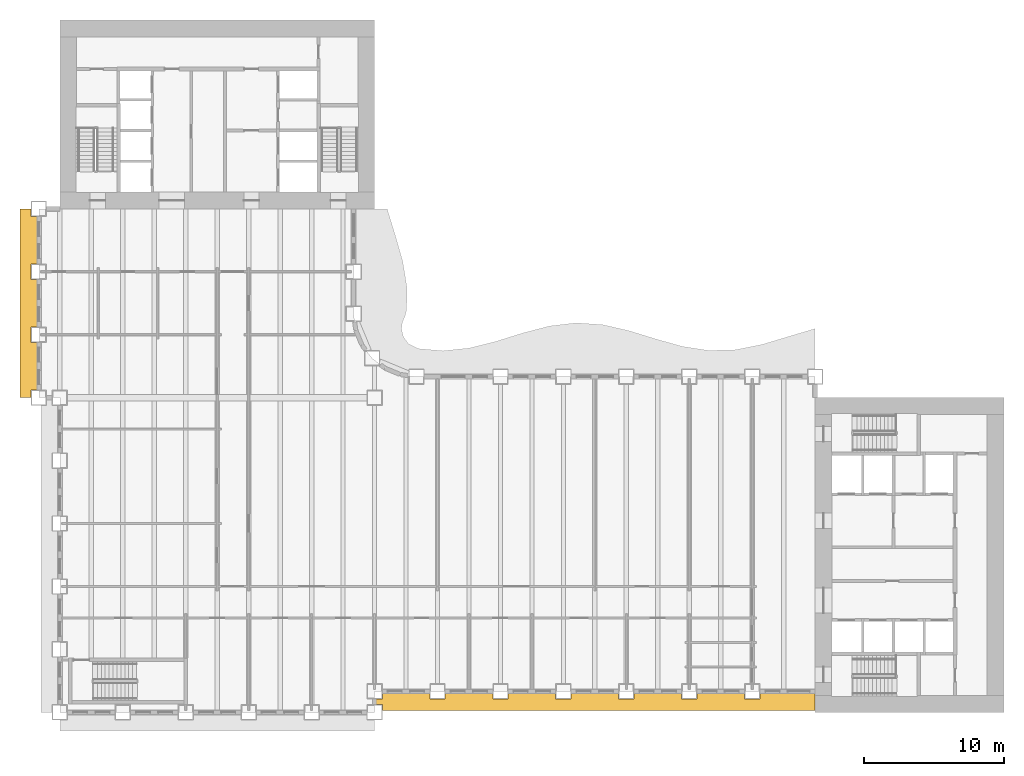
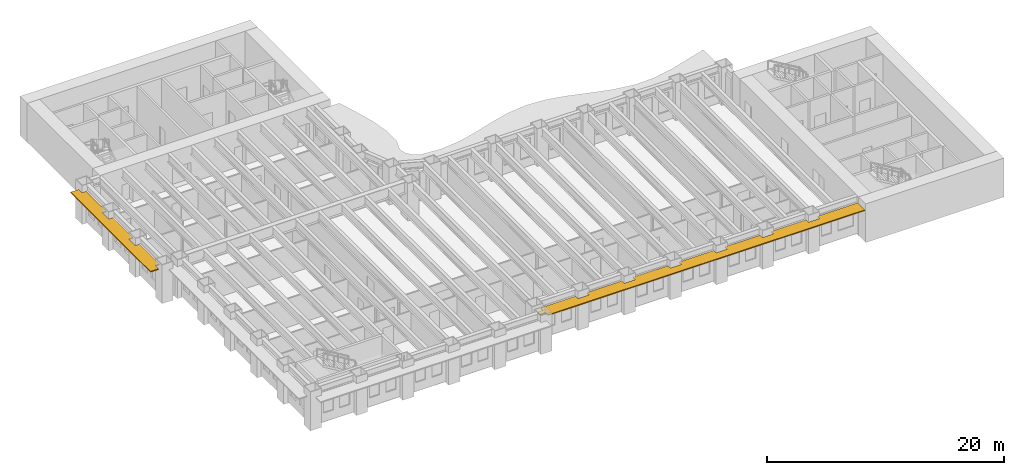
# One storey, part 12 of 16: 2 shading devices.
"""IFC4 building model written with IfcOpenShell, lengths in metres."""

from ifc_helpers import new_model, si_unit, direction, frame, origin, place, context, subcontext, project, spatial, polyline, outline, extrude, material, layer, layer_set, type_object, element, save


model = new_model("IFC4")

# Units and contexts
model_context = context("Model", 3, precision=1e-05, world=origin(), true_north=direction((0.0, 1.0)))
body_context = subcontext(model_context, "Body", "Model", "MODEL_VIEW")
ifc_project = project(units=[si_unit("LENGTHUNIT", "METRE"), si_unit("AREAUNIT", "SQUARE_METRE"), si_unit("VOLUMEUNIT", "CUBIC_METRE"), si_unit("PLANEANGLEUNIT", "RADIAN"), si_unit("MASSUNIT", "GRAM", prefix="KILO")], contexts=[model_context])

# Site, building, storey
site_placement = place(None, origin())
site = spatial("IfcSite", under=ifc_project, at=site_placement, CompositionType="ELEMENT")
building_placement = place(site_placement, origin())
building = spatial("IfcBuilding", under=site, at=building_placement, Name="Sennacour Bend Tower", CompositionType="ELEMENT")
storey_placement = place(building_placement, frame((0.0, 0.0, 57.0)))
storey = spatial("IfcBuildingStorey", under=building, at=storey_placement, Name="L12", CompositionType="ELEMENT", Elevation=57.0)

# Shading devices
ifc_material = material(Name="Bronze anodised aluminium", Category="aluminium")
ifc_layer = layer(ifc_material, 0.10009765625, Name="Bronze anodised aluminium", Category="aluminium")
ifc_layer_set = layer_set([ifc_layer], Name="Bronze anodised aluminium")
shading_device_type = type_object("IfcShadingDeviceType", Name="SUNSHADE BAND STRAIGHT", PredefinedType="USERDEFINED", material=ifc_layer_set)
shading_device_1_placement = place(storey_placement, frame((0.0, 0.0, 3.0439453125)))
element("IfcShadingDevice", 1, at=shading_device_1_placement, inside=storey, type_object=shading_device_type, Name="Sunshade band L12 A outer face", ObjectType="SUNSHADE", PredefinedType="USERDEFINED", context=body_context, shape_type="SweptSolid", body=[
    extrude(outline(polyline([(26.449951171875, 1.35009765625), (26.449951171875, 0.949951171875), (27.550048828125, 0.949951171875), (27.550048828125, 1.35009765625), (30.949951171875, 1.35009765625), (30.949951171875, 0.949951171875), (32.050048828125, 0.949951171875), (32.050048828125, 1.35009765625), (35.449951171875, 1.35009765625), (35.449951171875, 0.949951171875), (36.550048828125, 0.949951171875), (36.550048828125, 1.35009765625), (39.949951171875, 1.35009765625), (39.949951171875, 0.949951171875), (41.050048828125, 0.949951171875), (41.050048828125, 1.35009765625), (44.449951171875, 1.35009765625), (44.449951171875, 0.949951171875), (45.550048828125, 0.949951171875), (45.550048828125, 1.35009765625), (48.949951171875, 1.35009765625), (48.949951171875, 0.949951171875), (50.050048828125, 0.949951171875), (50.050048828125, 1.35009765625), (54.0, 1.35009765625), (54.0, 0.14990234375), (23.050048828125, 0.14990234375), (23.050048828125, 0.550048828125), (22.5, 0.550048828125), (22.5, 0.949951171875), (23.050048828125, 0.949951171875), (23.050048828125, 1.35009765625), (26.449951171875, 1.35009765625)])), origin(), (0.0, 0.0, 1.0), 0.10009765625),
])
shading_device_2_placement = place(storey_placement, frame((0.0, 0.0, 3.0439453125)))
element("IfcShadingDevice", 2, at=shading_device_2_placement, inside=storey, type_object=shading_device_type, Name="Sunshade band L12 B outer face", ObjectType="SUNSHADE", PredefinedType="USERDEFINED", context=body_context, shape_type="SweptSolid", body=[
    extrude(outline(polyline([(-1.64990234375, 32.050048828125), (-2.050048828125, 32.050048828125), (-2.050048828125, 30.949951171875), (-1.64990234375, 30.949951171875), (-1.64990234375, 27.550048828125), (-2.050048828125, 27.550048828125), (-2.050048828125, 26.449951171875), (-1.64990234375, 26.449951171875), (-1.64990234375, 23.050048828125), (-2.050048828125, 23.050048828125), (-2.050048828125, 22.5), (-2.85009765625, 22.5), (-2.85009765625, 36.0), (-2.050048828125, 36.0), (-2.050048828125, 35.449951171875), (-1.64990234375, 35.449951171875), (-1.64990234375, 32.050048828125)])), origin(), (0.0, 0.0, 1.0), 0.10009765625),
])

save(model, "model.ifc")
